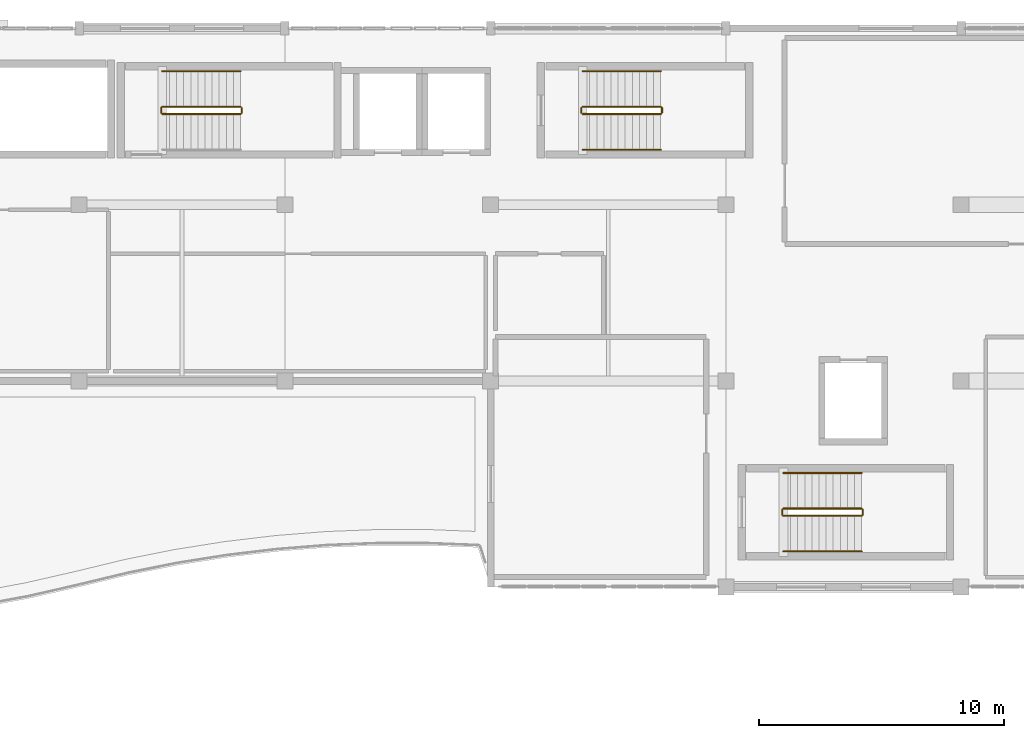
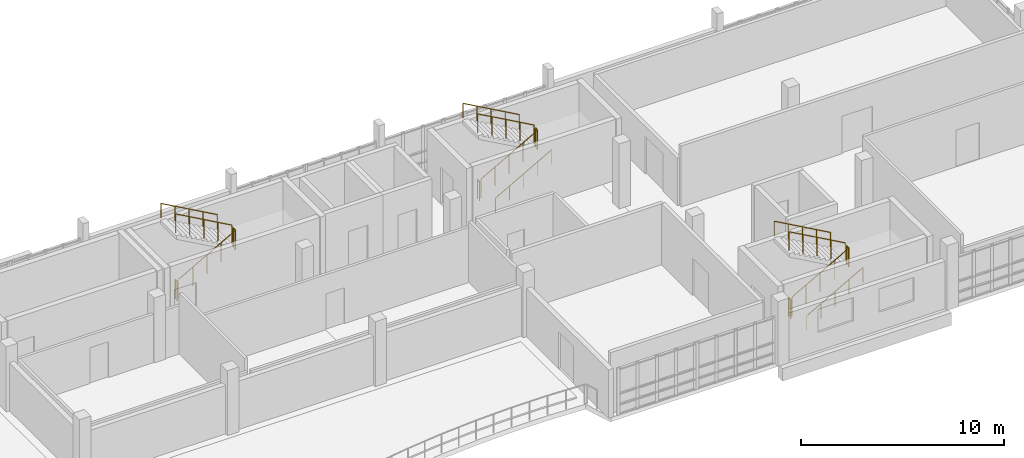
# One storey, part 24 of 25: 17 railings.
"""IFC4 building model written with IfcOpenShell, lengths in metres."""

from ifc_helpers import new_model, si_unit, direction, frame, origin, origin_2d, place, context, subcontext, project, spatial, circle, extrude, material, type_object, element, save


model = new_model("IFC4")

# Units and contexts
model_context = context("Model", 3, precision=1e-05, world=origin(), true_north=direction((0.0, 1.0)))
body_context = subcontext(model_context, "Body", "Model", "MODEL_VIEW")
ifc_project = project(units=[si_unit("LENGTHUNIT", "METRE"), si_unit("AREAUNIT", "SQUARE_METRE"), si_unit("VOLUMEUNIT", "CUBIC_METRE"), si_unit("PLANEANGLEUNIT", "RADIAN"), si_unit("MASSUNIT", "GRAM", prefix="KILO")], contexts=[model_context])

# Site, building, storey
site_placement = place(None, origin())
site = spatial("IfcSite", under=ifc_project, at=site_placement, CompositionType="ELEMENT")
building_placement = place(site_placement, origin())
building = spatial("IfcBuilding", under=site, at=building_placement, Name="Kisaragi Civic Commons", CompositionType="ELEMENT")
storey_placement = place(building_placement, frame((0.0, 0.0, 13.5)))
storey = spatial("IfcBuildingStorey", under=building, at=storey_placement, Name="L03", CompositionType="ELEMENT", Elevation=13.5)

# Railings
ifc_material = material(Name="Powder-coated architectural steel and hinoki cap rail", Category="steel")
railing_type_1 = type_object("IfcRailingType", Name="GRD-S1", PredefinedType="GUARDRAIL", material=ifc_material)
railing_1_placement = place(storey_placement, frame((100.60009765625, 115.300048828125, 0.16259765625)))
element("IfcRailing", 1, at=railing_1_placement, inside=storey, type_object=railing_type_1, Name="L03 ST-L1 stair guard 1", PredefinedType="GUARDRAIL", context=body_context, shape_type="SweptSolid", body=[
    extrude(circle(Radius=0.02392578125, at=origin_2d()), frame((0.0, 0.0, 1.1259765625), z_axis=(0.872390997893, 0.0, 0.488808701636), x_axis=(0.0, 1.0, 0.0)), (0.0, 0.0, 1.0), 3.656494140625),
    extrude(circle(Radius=0.02099609375, at=origin_2d()), origin(), (0.0, 0.0, 1.0), 1.101806640625),
    extrude(circle(Radius=0.02099609375, at=origin_2d()), frame((0.79736328125, 0.0, 0.44677734375)), (0.0, 0.0, 1.0), 1.101806640625),
    extrude(circle(Radius=0.02099609375, at=origin_2d()), frame((1.594970703125, 0.0, 0.8935546875)), (0.0, 0.0, 1.0), 1.101806640625),
    extrude(circle(Radius=0.02099609375, at=origin_2d()), frame((2.392578125, 0.0, 1.340576171875)), (0.0, 0.0, 1.0), 1.101806640625),
    extrude(circle(Radius=0.02099609375, at=origin_2d()), frame((3.18994140625, 0.0, 1.787353515625)), (0.0, 0.0, 1.0), 1.101806640625),
])
railing_2_placement = place(storey_placement, frame((103.840087890625, 115.35009765625, 1.949951171875)))
element("IfcRailing", 2, at=railing_2_placement, inside=storey, type_object=railing_type_1, Name="L03 ST-L1 stair guard 2", PredefinedType="GUARDRAIL", context=body_context, shape_type="SweptSolid", body=[
    extrude(circle(Radius=0.02392578125, at=origin_2d()), frame((0.0, 0.0, 1.1259765625), z_axis=(0.0, 1.0, 0.0), x_axis=(-1.0, 0.0, 0.0)), (0.0, 0.0, 1.0), 0.199951171875),
    extrude(circle(Radius=0.02099609375, at=origin_2d()), origin(), (0.0, 0.0, 1.0), 1.101806640625),
    extrude(circle(Radius=0.02099609375, at=origin_2d()), frame((0.0, 0.199951171875, 0.0)), (0.0, 0.0, 1.0), 1.101806640625),
])
railing_3_placement = place(storey_placement, frame((103.7900390625, 115.60009765625, 2.112548828125)))
element("IfcRailing", 3, at=railing_3_placement, inside=storey, type_object=railing_type_1, Name="L03 ST-L1 stair guard 3", PredefinedType="GUARDRAIL", context=body_context, shape_type="SweptSolid", body=[
    extrude(circle(Radius=0.02392578125, at=origin_2d()), frame((0.0, 0.0, 1.1259765625), z_axis=(-0.872390997893, 0.0, 0.488808701636), x_axis=(0.0, -1.0, 0.0)), (0.0, 0.0, 1.0), 3.656494140625),
    extrude(circle(Radius=0.02099609375, at=origin_2d()), origin(), (0.0, 0.0, 1.0), 1.101806640625),
    extrude(circle(Radius=0.02099609375, at=origin_2d()), frame((-0.79736328125, 0.0, 0.44677734375)), (0.0, 0.0, 1.0), 1.101806640625),
    extrude(circle(Radius=0.02099609375, at=origin_2d()), frame((-1.594970703125, 0.0, 0.8935546875)), (0.0, 0.0, 1.0), 1.101806640625),
    extrude(circle(Radius=0.02099609375, at=origin_2d()), frame((-2.392578125, 0.0, 1.340576171875)), (0.0, 0.0, 1.0), 1.101806640625),
    extrude(circle(Radius=0.02099609375, at=origin_2d()), frame((-3.18994140625, 0.0, 1.787353515625)), (0.0, 0.0, 1.0), 1.101806640625),
])
railing_4_placement = place(storey_placement, frame((100.550048828125, 115.35009765625, 0.0)))
element("IfcRailing", 4, at=railing_4_placement, inside=storey, type_object=railing_type_1, Name="L03 ST-L1 stair guard 4", PredefinedType="GUARDRAIL", context=body_context, shape_type="SweptSolid", body=[
    extrude(circle(Radius=0.02392578125, at=origin_2d()), frame((0.0, 0.0, 1.1259765625), z_axis=(0.0, 1.0, 0.0), x_axis=(-1.0, 0.0, 0.0)), (0.0, 0.0, 1.0), 0.199951171875),
    extrude(circle(Radius=0.02099609375, at=origin_2d()), origin(), (0.0, 0.0, 1.0), 1.101806640625),
    extrude(circle(Radius=0.02099609375, at=origin_2d()), frame((0.0, 0.199951171875, 0.0)), (0.0, 0.0, 1.0), 1.101806640625),
])
railing_5_placement = place(storey_placement, frame((117.75, 115.300048828125, 0.16259765625)))
element("IfcRailing", 5, at=railing_5_placement, inside=storey, type_object=railing_type_1, Name="L03 ST-L2 stair guard 1", PredefinedType="GUARDRAIL", context=body_context, shape_type="SweptSolid", body=[
    extrude(circle(Radius=0.02392578125, at=origin_2d()), frame((0.0, 0.0, 1.1259765625), z_axis=(0.872390997893, 0.0, 0.488808701636), x_axis=(0.0, 1.0, 0.0)), (0.0, 0.0, 1.0), 3.656494140625),
    extrude(circle(Radius=0.02099609375, at=origin_2d()), origin(), (0.0, 0.0, 1.0), 1.101806640625),
    extrude(circle(Radius=0.02099609375, at=origin_2d()), frame((0.79736328125, 0.0, 0.44677734375)), (0.0, 0.0, 1.0), 1.101806640625),
    extrude(circle(Radius=0.02099609375, at=origin_2d()), frame((1.594970703125, 0.0, 0.8935546875)), (0.0, 0.0, 1.0), 1.101806640625),
    extrude(circle(Radius=0.02099609375, at=origin_2d()), frame((2.392578125, 0.0, 1.340576171875)), (0.0, 0.0, 1.0), 1.101806640625),
    extrude(circle(Radius=0.02099609375, at=origin_2d()), frame((3.18994140625, 0.0, 1.787353515625)), (0.0, 0.0, 1.0), 1.101806640625),
])
railing_6_placement = place(storey_placement, frame((120.989990234375, 115.35009765625, 1.949951171875)))
element("IfcRailing", 6, at=railing_6_placement, inside=storey, type_object=railing_type_1, Name="L03 ST-L2 stair guard 2", PredefinedType="GUARDRAIL", context=body_context, shape_type="SweptSolid", body=[
    extrude(circle(Radius=0.02392578125, at=origin_2d()), frame((0.0, 0.0, 1.1259765625), z_axis=(0.0, 1.0, 0.0), x_axis=(-1.0, 0.0, 0.0)), (0.0, 0.0, 1.0), 0.199951171875),
    extrude(circle(Radius=0.02099609375, at=origin_2d()), origin(), (0.0, 0.0, 1.0), 1.101806640625),
    extrude(circle(Radius=0.02099609375, at=origin_2d()), frame((0.0, 0.199951171875, 0.0)), (0.0, 0.0, 1.0), 1.101806640625),
])
railing_7_placement = place(storey_placement, frame((120.93994140625, 115.60009765625, 2.112548828125)))
element("IfcRailing", 7, at=railing_7_placement, inside=storey, type_object=railing_type_1, Name="L03 ST-L2 stair guard 3", PredefinedType="GUARDRAIL", context=body_context, shape_type="SweptSolid", body=[
    extrude(circle(Radius=0.02392578125, at=origin_2d()), frame((0.0, 0.0, 1.1259765625), z_axis=(-0.872390997893, 0.0, 0.488808701636), x_axis=(0.0, -1.0, 0.0)), (0.0, 0.0, 1.0), 3.656494140625),
    extrude(circle(Radius=0.02099609375, at=origin_2d()), origin(), (0.0, 0.0, 1.0), 1.101806640625),
    extrude(circle(Radius=0.02099609375, at=origin_2d()), frame((-0.79736328125, 0.0, 0.44677734375)), (0.0, 0.0, 1.0), 1.101806640625),
    extrude(circle(Radius=0.02099609375, at=origin_2d()), frame((-1.594970703125, 0.0, 0.8935546875)), (0.0, 0.0, 1.0), 1.101806640625),
    extrude(circle(Radius=0.02099609375, at=origin_2d()), frame((-2.392578125, 0.0, 1.340576171875)), (0.0, 0.0, 1.0), 1.101806640625),
    extrude(circle(Radius=0.02099609375, at=origin_2d()), frame((-3.18994140625, 0.0, 1.787353515625)), (0.0, 0.0, 1.0), 1.101806640625),
])
railing_8_placement = place(storey_placement, frame((117.699951171875, 115.35009765625, 0.0)))
element("IfcRailing", 8, at=railing_8_placement, inside=storey, type_object=railing_type_1, Name="L03 ST-L2 stair guard 4", PredefinedType="GUARDRAIL", context=body_context, shape_type="SweptSolid", body=[
    extrude(circle(Radius=0.02392578125, at=origin_2d()), frame((0.0, 0.0, 1.1259765625), z_axis=(0.0, 1.0, 0.0), x_axis=(-1.0, 0.0, 0.0)), (0.0, 0.0, 1.0), 0.199951171875),
    extrude(circle(Radius=0.02099609375, at=origin_2d()), origin(), (0.0, 0.0, 1.0), 1.101806640625),
    extrude(circle(Radius=0.02099609375, at=origin_2d()), frame((0.0, 0.199951171875, 0.0)), (0.0, 0.0, 1.0), 1.101806640625),
])
railing_9_placement = place(storey_placement, frame((125.949951171875, 98.89990234375, 0.16259765625)))
element("IfcRailing", 9, at=railing_9_placement, inside=storey, type_object=railing_type_1, Name="L03 ST-L3 stair guard 1", PredefinedType="GUARDRAIL", context=body_context, shape_type="SweptSolid", body=[
    extrude(circle(Radius=0.02392578125, at=origin_2d()), frame((0.0, 0.0, 1.1259765625), z_axis=(0.872390997893, 0.0, 0.488808701636), x_axis=(0.0, 1.0, 0.0)), (0.0, 0.0, 1.0), 3.656494140625),
    extrude(circle(Radius=0.02099609375, at=origin_2d()), origin(), (0.0, 0.0, 1.0), 1.101806640625),
    extrude(circle(Radius=0.02099609375, at=origin_2d()), frame((0.79736328125, 0.0, 0.44677734375)), (0.0, 0.0, 1.0), 1.101806640625),
    extrude(circle(Radius=0.02099609375, at=origin_2d()), frame((1.594970703125, 0.0, 0.8935546875)), (0.0, 0.0, 1.0), 1.101806640625),
    extrude(circle(Radius=0.02099609375, at=origin_2d()), frame((2.392578125, 0.0, 1.340576171875)), (0.0, 0.0, 1.0), 1.101806640625),
    extrude(circle(Radius=0.02099609375, at=origin_2d()), frame((3.18994140625, 0.0, 1.787353515625)), (0.0, 0.0, 1.0), 1.101806640625),
])
railing_10_placement = place(storey_placement, frame((129.18994140625, 98.949951171875, 1.949951171875)))
element("IfcRailing", 10, at=railing_10_placement, inside=storey, type_object=railing_type_1, Name="L03 ST-L3 stair guard 2", PredefinedType="GUARDRAIL", context=body_context, shape_type="SweptSolid", body=[
    extrude(circle(Radius=0.02392578125, at=origin_2d()), frame((0.0, 0.0, 1.1259765625), z_axis=(0.0, 1.0, 0.0), x_axis=(-1.0, 0.0, 0.0)), (0.0, 0.0, 1.0), 0.199951171875),
    extrude(circle(Radius=0.02099609375, at=origin_2d()), origin(), (0.0, 0.0, 1.0), 1.101806640625),
    extrude(circle(Radius=0.02099609375, at=origin_2d()), frame((0.0, 0.199951171875, 0.0)), (0.0, 0.0, 1.0), 1.101806640625),
])
railing_11_placement = place(storey_placement, frame((129.139892578125, 99.199951171875, 2.112548828125)))
element("IfcRailing", 11, at=railing_11_placement, inside=storey, type_object=railing_type_1, Name="L03 ST-L3 stair guard 3", PredefinedType="GUARDRAIL", context=body_context, shape_type="SweptSolid", body=[
    extrude(circle(Radius=0.02392578125, at=origin_2d()), frame((0.0, 0.0, 1.1259765625), z_axis=(-0.872390997893, 0.0, 0.488808701636), x_axis=(0.0, -1.0, 0.0)), (0.0, 0.0, 1.0), 3.656494140625),
    extrude(circle(Radius=0.02099609375, at=origin_2d()), origin(), (0.0, 0.0, 1.0), 1.101806640625),
    extrude(circle(Radius=0.02099609375, at=origin_2d()), frame((-0.79736328125, 0.0, 0.44677734375)), (0.0, 0.0, 1.0), 1.101806640625),
    extrude(circle(Radius=0.02099609375, at=origin_2d()), frame((-1.594970703125, 0.0, 0.8935546875)), (0.0, 0.0, 1.0), 1.101806640625),
    extrude(circle(Radius=0.02099609375, at=origin_2d()), frame((-2.392578125, 0.0, 1.340576171875)), (0.0, 0.0, 1.0), 1.101806640625),
    extrude(circle(Radius=0.02099609375, at=origin_2d()), frame((-3.18994140625, 0.0, 1.787353515625)), (0.0, 0.0, 1.0), 1.101806640625),
])
railing_12_placement = place(storey_placement, frame((125.89990234375, 98.949951171875, 0.0)))
element("IfcRailing", 12, at=railing_12_placement, inside=storey, type_object=railing_type_1, Name="L03 ST-L3 stair guard 4", PredefinedType="GUARDRAIL", context=body_context, shape_type="SweptSolid", body=[
    extrude(circle(Radius=0.02392578125, at=origin_2d()), frame((0.0, 0.0, 1.1259765625), z_axis=(0.0, 1.0, 0.0), x_axis=(-1.0, 0.0, 0.0)), (0.0, 0.0, 1.0), 0.199951171875),
    extrude(circle(Radius=0.02099609375, at=origin_2d()), origin(), (0.0, 0.0, 1.0), 1.101806640625),
    extrude(circle(Radius=0.02099609375, at=origin_2d()), frame((0.0, 0.199951171875, 0.0)), (0.0, 0.0, 1.0), 1.101806640625),
])
railing_type_2 = type_object("IfcRailingType", Name="HRL-01", PredefinedType="HANDRAIL", material=ifc_material)
railing_13_placement = place(storey_placement, frame((103.7900390625, 117.050048828125, 2.112548828125)))
element("IfcRailing", 13, at=railing_13_placement, inside=storey, type_object=railing_type_2, Name="L03 ST-L1 stair handrail 2", PredefinedType="HANDRAIL", context=body_context, shape_type="SweptSolid", body=[
    extrude(circle(Radius=0.02392578125, at=origin_2d()), frame((0.0, 0.0, 0.8759765625), z_axis=(-0.872390997893, 0.0, 0.488808701636), x_axis=(0.0, -1.0, 0.0)), (0.0, 0.0, 1.0), 3.656494140625),
    extrude(circle(Radius=0.02099609375, at=origin_2d()), origin(), (0.0, 0.0, 1.0), 0.851806640625),
    extrude(circle(Radius=0.02099609375, at=origin_2d()), frame((-0.79736328125, 0.0, 0.44677734375)), (0.0, 0.0, 1.0), 0.851806640625),
    extrude(circle(Radius=0.02099609375, at=origin_2d()), frame((-1.594970703125, 0.0, 0.8935546875)), (0.0, 0.0, 1.0), 0.851806640625),
    extrude(circle(Radius=0.02099609375, at=origin_2d()), frame((-2.392578125, 0.0, 1.340576171875)), (0.0, 0.0, 1.0), 0.851806640625),
    extrude(circle(Radius=0.02099609375, at=origin_2d()), frame((-3.18994140625, 0.0, 1.787353515625)), (0.0, 0.0, 1.0), 0.851806640625),
])
railing_14_placement = place(storey_placement, frame((117.75, 113.85009765625, 0.16259765625)))
element("IfcRailing", 14, at=railing_14_placement, inside=storey, type_object=railing_type_2, Name="L03 ST-L2 stair handrail 1", PredefinedType="HANDRAIL", context=body_context, shape_type="SweptSolid", body=[
    extrude(circle(Radius=0.02392578125, at=origin_2d()), frame((0.0, 0.0, 0.8759765625), z_axis=(0.872390997893, 0.0, 0.488808701636), x_axis=(0.0, 1.0, 0.0)), (0.0, 0.0, 1.0), 3.656494140625),
    extrude(circle(Radius=0.02099609375, at=origin_2d()), origin(), (0.0, 0.0, 1.0), 0.851806640625),
    extrude(circle(Radius=0.02099609375, at=origin_2d()), frame((0.79736328125, 0.0, 0.44677734375)), (0.0, 0.0, 1.0), 0.851806640625),
    extrude(circle(Radius=0.02099609375, at=origin_2d()), frame((1.594970703125, 0.0, 0.8935546875)), (0.0, 0.0, 1.0), 0.851806640625),
    extrude(circle(Radius=0.02099609375, at=origin_2d()), frame((2.392578125, 0.0, 1.340576171875)), (0.0, 0.0, 1.0), 0.851806640625),
    extrude(circle(Radius=0.02099609375, at=origin_2d()), frame((3.18994140625, 0.0, 1.787353515625)), (0.0, 0.0, 1.0), 0.851806640625),
])
railing_15_placement = place(storey_placement, frame((120.93994140625, 117.050048828125, 2.112548828125)))
element("IfcRailing", 15, at=railing_15_placement, inside=storey, type_object=railing_type_2, Name="L03 ST-L2 stair handrail 2", PredefinedType="HANDRAIL", context=body_context, shape_type="SweptSolid", body=[
    extrude(circle(Radius=0.02392578125, at=origin_2d()), frame((0.0, 0.0, 0.8759765625), z_axis=(-0.872390997893, 0.0, 0.488808701636), x_axis=(0.0, -1.0, 0.0)), (0.0, 0.0, 1.0), 3.656494140625),
    extrude(circle(Radius=0.02099609375, at=origin_2d()), origin(), (0.0, 0.0, 1.0), 0.851806640625),
    extrude(circle(Radius=0.02099609375, at=origin_2d()), frame((-0.79736328125, 0.0, 0.44677734375)), (0.0, 0.0, 1.0), 0.851806640625),
    extrude(circle(Radius=0.02099609375, at=origin_2d()), frame((-1.594970703125, 0.0, 0.8935546875)), (0.0, 0.0, 1.0), 0.851806640625),
    extrude(circle(Radius=0.02099609375, at=origin_2d()), frame((-2.392578125, 0.0, 1.340576171875)), (0.0, 0.0, 1.0), 0.851806640625),
    extrude(circle(Radius=0.02099609375, at=origin_2d()), frame((-3.18994140625, 0.0, 1.787353515625)), (0.0, 0.0, 1.0), 0.851806640625),
])
railing_16_placement = place(storey_placement, frame((125.949951171875, 97.449951171875, 0.16259765625)))
element("IfcRailing", 16, at=railing_16_placement, inside=storey, type_object=railing_type_2, Name="L03 ST-L3 stair handrail 1", PredefinedType="HANDRAIL", context=body_context, shape_type="SweptSolid", body=[
    extrude(circle(Radius=0.02392578125, at=origin_2d()), frame((0.0, 0.0, 0.8759765625), z_axis=(0.872390997893, 0.0, 0.488808701636), x_axis=(0.0, 1.0, 0.0)), (0.0, 0.0, 1.0), 3.656494140625),
    extrude(circle(Radius=0.02099609375, at=origin_2d()), origin(), (0.0, 0.0, 1.0), 0.851806640625),
    extrude(circle(Radius=0.02099609375, at=origin_2d()), frame((0.79736328125, 0.0, 0.44677734375)), (0.0, 0.0, 1.0), 0.851806640625),
    extrude(circle(Radius=0.02099609375, at=origin_2d()), frame((1.594970703125, 0.0, 0.8935546875)), (0.0, 0.0, 1.0), 0.851806640625),
    extrude(circle(Radius=0.02099609375, at=origin_2d()), frame((2.392578125, 0.0, 1.340576171875)), (0.0, 0.0, 1.0), 0.851806640625),
    extrude(circle(Radius=0.02099609375, at=origin_2d()), frame((3.18994140625, 0.0, 1.787353515625)), (0.0, 0.0, 1.0), 0.851806640625),
])
railing_17_placement = place(storey_placement, frame((129.139892578125, 100.64990234375, 2.112548828125)))
element("IfcRailing", 17, at=railing_17_placement, inside=storey, type_object=railing_type_2, Name="L03 ST-L3 stair handrail 2", PredefinedType="HANDRAIL", context=body_context, shape_type="SweptSolid", body=[
    extrude(circle(Radius=0.02392578125, at=origin_2d()), frame((0.0, 0.0, 0.8759765625), z_axis=(-0.872390997893, 0.0, 0.488808701636), x_axis=(0.0, -1.0, 0.0)), (0.0, 0.0, 1.0), 3.656494140625),
    extrude(circle(Radius=0.02099609375, at=origin_2d()), origin(), (0.0, 0.0, 1.0), 0.851806640625),
    extrude(circle(Radius=0.02099609375, at=origin_2d()), frame((-0.79736328125, 0.0, 0.44677734375)), (0.0, 0.0, 1.0), 0.851806640625),
    extrude(circle(Radius=0.02099609375, at=origin_2d()), frame((-1.594970703125, 0.0, 0.8935546875)), (0.0, 0.0, 1.0), 0.851806640625),
    extrude(circle(Radius=0.02099609375, at=origin_2d()), frame((-2.392578125, 0.0, 1.340576171875)), (0.0, 0.0, 1.0), 0.851806640625),
    extrude(circle(Radius=0.02099609375, at=origin_2d()), frame((-3.18994140625, 0.0, 1.787353515625)), (0.0, 0.0, 1.0), 0.851806640625),
])

save(model, "model.ifc")
